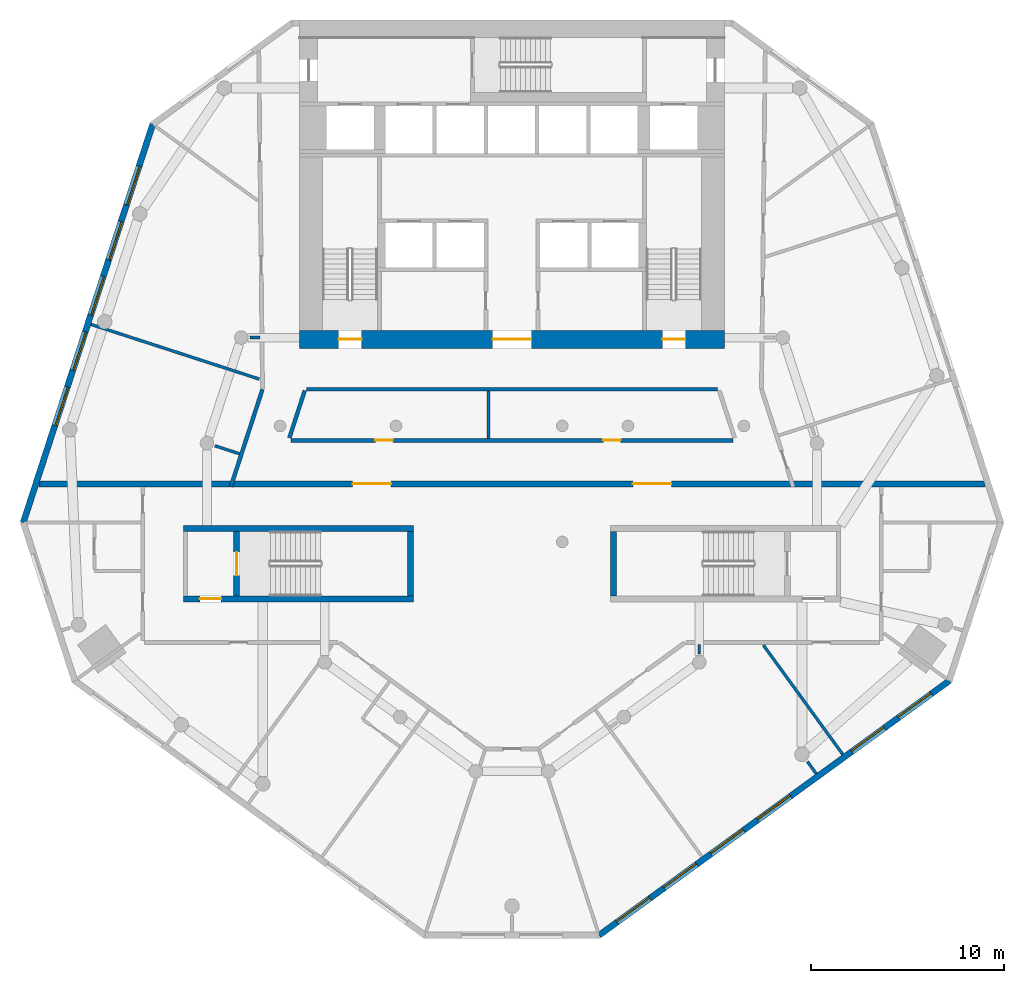
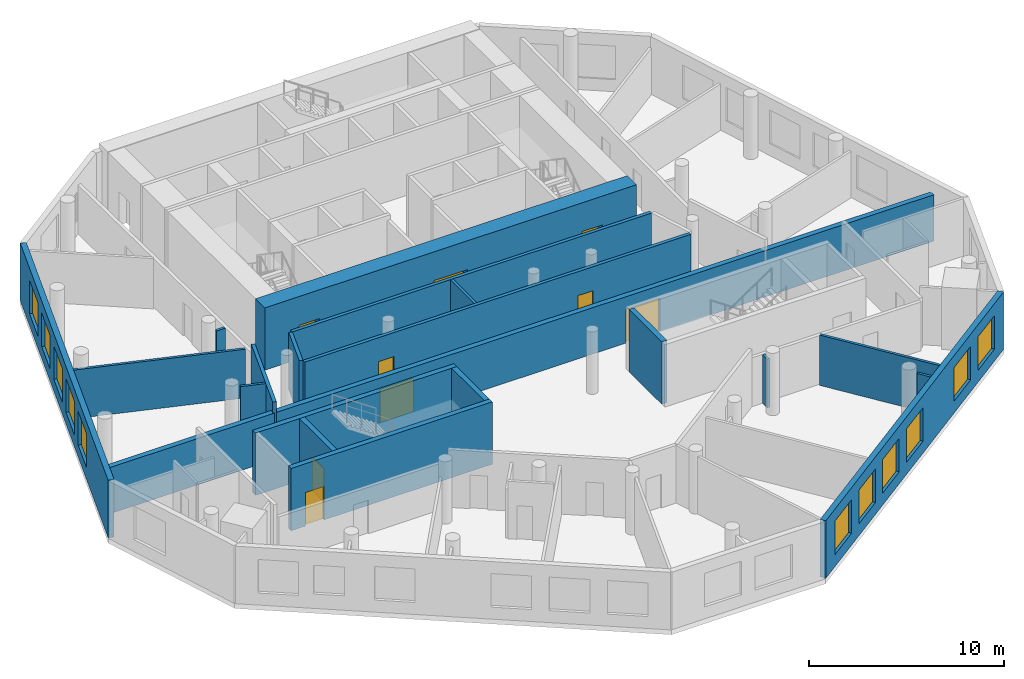
# One storey, part 3 of 8: 20 walls, 11 windows, 9 doors, 20 openings.
"""IFC4 building model written with IfcOpenShell, lengths in metres."""

from ifc_helpers import new_model, si_unit, direction, frame, frame_2d, origin, place, context, subcontext, project, spatial, rectangle, extrude, material, layer, layer_set, type_object, element, fill, save


model = new_model("IFC4")

# Units and contexts
model_context = context("Model", 3, precision=1e-05, world=origin(), true_north=direction((0.0, 1.0)))
body_context = subcontext(model_context, "Body", "Model", "MODEL_VIEW")
ifc_project = project(units=[si_unit("LENGTHUNIT", "METRE"), si_unit("AREAUNIT", "SQUARE_METRE"), si_unit("VOLUMEUNIT", "CUBIC_METRE"), si_unit("PLANEANGLEUNIT", "RADIAN"), si_unit("MASSUNIT", "GRAM", prefix="KILO")], contexts=[model_context])

# Site, building, storey
site_placement = place(None, origin())
site = spatial("IfcSite", under=ifc_project, at=site_placement, CompositionType="ELEMENT")
building_placement = place(site_placement, origin())
building = spatial("IfcBuilding", under=site, at=building_placement, Name="White Candle Pilgrim Tower", CompositionType="ELEMENT")
storey_placement = place(building_placement, frame((0.0, 0.0, 152.5)))
storey = spatial("IfcBuildingStorey", under=building, at=storey_placement, Name="L34", CompositionType="ELEMENT", Elevation=152.5)

# Wall
ifc_material_1 = material(Name="Gypsum board on steel studs", Category="steel")
ifc_layer_1 = layer(ifc_material_1, 0.199951171875)
ifc_layer_set_1 = layer_set([ifc_layer_1], Name="Corridor wall 200 mm EI 45")
wall_type_1 = type_object("IfcWallType", Name="Corridor wall 200 mm EI 45", PredefinedType="PARTITIONING", material=ifc_layer_set_1)
wall_1_placement = place(storey_placement, frame((55.45263671875, 63.85009765625, 0.0), z_axis=(0.0, 0.0, 1.0), x_axis=(0.309009941901, 0.951058807754, 0.0)))
element("IfcWall", 1, at=wall_1_placement, inside=storey, type_object=wall_type_1, Name="WL-L34-P002", PredefinedType="PARTITIONING", context=body_context, shape_type="SweptSolid", body=[
    extrude(rectangle(XDim=5.29345703125, YDim=0.199951171875, at=frame_2d((2.646728515625, 0.0))), origin(), (0.0, 0.0, 1.0), 3.60009765625),
])

# Wall, openings, doors
wall_2_placement = place(storey_placement, frame((58.578125, 66.25, 0.0), z_axis=(0.0, 0.0, 1.0), x_axis=(1.0, 0.0, 0.0)))
wall_2 = element("IfcWall", 2, at=wall_2_placement, inside=storey, type_object=wall_type_1, Name="WL-L34-P013", PredefinedType="PARTITIONING", context=body_context, shape_type="SweptSolid", body=[
    extrude(rectangle(XDim=22.84375, YDim=0.199951171875, at=frame_2d((11.421875, 0.0))), origin(), (0.0, 0.0, 1.0), 3.60009765625),
])
opening_1_placement = place(wall_2_placement, frame((4.359130859375, 0.0, 0.0)))
opening_1 = element("IfcOpeningElement", 3, at=opening_1_placement, cuts=wall_2, Name="Opening T10-115", PredefinedType="OPENING", context=body_context, shape_type="SweptSolid", body=[
    extrude(rectangle(XDim=0.89990234375, YDim=2.10009765625, at=frame_2d((0.449951171875, 1.050048828125))), frame((0.0, 0.10986328125, 0.0), z_axis=(0.0, -1.0, 0.0), x_axis=(1.0, 0.0, 0.0)), (0.0, 0.0, 1.0), 0.219970703125),
])
opening_2_placement = place(wall_2_placement, frame((16.1435546875, 0.0, 0.0)))
opening_2 = element("IfcOpeningElement", 4, at=opening_2_placement, cuts=wall_2, Name="Opening T10-116", PredefinedType="OPENING", context=body_context, shape_type="SweptSolid", body=[
    extrude(rectangle(XDim=0.89990234375, YDim=2.10009765625, at=frame_2d((0.449951171875, 1.050048828125))), frame((0.0, 0.10986328125, 0.0), z_axis=(0.0, -1.0, 0.0), x_axis=(1.0, 0.0, 0.0)), (0.0, 0.0, 1.0), 0.219970703125),
])
ifc_material_2 = material(Name="Steel door leaf", Category="steel")
door_type_1 = type_object("IfcDoorType", Name="Fire door 900 x 2100 EI 30", OperationType="NOTDEFINED", PredefinedType="DOOR", material=ifc_material_2)
door_1_placement = place(opening_1_placement, origin())
door_1 = element("IfcDoor", 5, at=door_1_placement, inside=storey, type_object=door_type_1, Name="Door T10-115", OperationType="SINGLE_SWING_LEFT", OverallHeight=2.10009765625, OverallWidth=0.89990234375, PredefinedType="DOOR", context=body_context, shape_type="SweptSolid", body=[
    extrude(rectangle(XDim=0.89990234375, YDim=2.10009765625, at=frame_2d((0.449951171875, 1.050048828125))), frame((0.0, 0.02490234375, 0.0), z_axis=(0.0, -1.0, 0.0), x_axis=(1.0, 0.0, 0.0)), (0.0, 0.0, 1.0), 0.050048828125),
])
fill(opening_1, door_1)
door_2_placement = place(opening_2_placement, origin())
door_2 = element("IfcDoor", 6, at=door_2_placement, inside=storey, type_object=door_type_1, Name="Door T10-116", OperationType="SINGLE_SWING_RIGHT", OverallHeight=2.10009765625, OverallWidth=0.89990234375, PredefinedType="DOOR", context=body_context, shape_type="SweptSolid", body=[
    extrude(rectangle(XDim=0.89990234375, YDim=2.10009765625, at=frame_2d((0.449951171875, 1.050048828125))), frame((0.0, 0.02490234375, 0.0), z_axis=(0.0, -1.0, 0.0), x_axis=(1.0, 0.0, 0.0)), (0.0, 0.0, 1.0), 0.050048828125),
])
fill(opening_2, door_2)

# Walls
wall_3_placement = place(storey_placement, frame((80.625732421875, 68.89990234375, 0.0), z_axis=(0.0, 0.0, 1.0), x_axis=(-1.0, 0.0, 0.0)))
element("IfcWall", 7, at=wall_3_placement, inside=storey, type_object=wall_type_1, Name="WL-L34-P015", PredefinedType="PARTITIONING", context=body_context, shape_type="SweptSolid", body=[
    extrude(rectangle(XDim=21.25146484375, YDim=0.199951171875, at=frame_2d((10.625732421875, 0.0))), origin(), (0.0, 0.0, 1.0), 3.60009765625),
])
wall_4_placement = place(storey_placement, frame((59.279052734375, 68.830810546875, 0.0), z_axis=(0.0, 0.0, 1.0), x_axis=(-0.308968203288, -0.951072368097, 0.0)))
element("IfcWall", 8, at=wall_4_placement, inside=storey, type_object=wall_type_1, Name="WL-L34-P016", PredefinedType="PARTITIONING", context=body_context, shape_type="SweptSolid", body=[
    extrude(rectangle(XDim=2.575927734375, YDim=0.199951171875, at=frame_2d((1.2880859375, 0.0))), origin(), (0.0, 0.0, 1.0), 3.60009765625),
])

# Wall, openings, windows
ifc_material_3 = material(Name="Precast concrete C40/50", Category="concrete")
ifc_layer_2 = layer(ifc_material_3, 0.320068359375)
ifc_layer_set_2 = layer_set([ifc_layer_2], Name="Facade wall EW1 precast concrete C40/50 pier wall with timber-lined reveals")
wall_type_2 = type_object("IfcWallType", Name="Facade wall EW1 precast concrete C40/50 pier wall with timber-lined reveals", PredefinedType="SOLIDWALL", material=ifc_layer_set_2)
wall_5_placement = place(storey_placement, frame((74.5068359375, 40.6513671875, 0.0), z_axis=(0.0, 0.0, 1.0), x_axis=(0.809012267685, 0.587791757968, 0.0)))
wall_5 = element("IfcWall", 9, at=wall_5_placement, inside=storey, type_object=wall_type_2, Name="Facade wall L34 SE", PredefinedType="SOLIDWALL", context=body_context, shape_type="SweptSolid", body=[
    extrude(rectangle(XDim=22.393310546875, YDim=0.320068359375, at=frame_2d((11.19677734375, 0.0))), origin(), (0.0, 0.0, 1.0), 3.60009765625),
])
opening_3_placement = place(wall_5_placement, frame((1.146484375, 0.0, 0.75)))
opening_3 = element("IfcOpeningElement", 10, at=opening_3_placement, cuts=wall_5, Name="Opening W3", PredefinedType="OPENING", context=body_context, shape_type="SweptSolid", body=[
    extrude(rectangle(XDim=2.10009765625, YDim=2.10009765625, at=frame_2d((1.050048828125, 1.050048828125))), frame((0.0, 0.169921875, 0.0), z_axis=(0.0, -1.0, 0.0), x_axis=(1.0, 0.0, 0.0)), (0.0, 0.0, 1.0), 0.340087890625),
])
opening_4_placement = place(wall_5_placement, frame((4.146484375, 0.0, 0.75)))
opening_4 = element("IfcOpeningElement", 11, at=opening_4_placement, cuts=wall_5, Name="Opening W3", PredefinedType="OPENING", context=body_context, shape_type="SweptSolid", body=[
    extrude(rectangle(XDim=2.10009765625, YDim=2.10009765625, at=frame_2d((1.050048828125, 1.050048828125))), frame((0.0, 0.169921875, 0.0), z_axis=(0.0, -1.0, 0.0), x_axis=(1.0, 0.0, 0.0)), (0.0, 0.0, 1.0), 0.340087890625),
])
opening_5_placement = place(wall_5_placement, frame((7.146484375, 0.0, 0.75)))
opening_5 = element("IfcOpeningElement", 12, at=opening_5_placement, cuts=wall_5, Name="Opening W3", PredefinedType="OPENING", context=body_context, shape_type="SweptSolid", body=[
    extrude(rectangle(XDim=2.10009765625, YDim=2.10009765625, at=frame_2d((1.050048828125, 1.050048828125))), frame((0.0, 0.169921875, 0.0), z_axis=(0.0, -1.0, 0.0), x_axis=(1.0, 0.0, 0.0)), (0.0, 0.0, 1.0), 0.340087890625),
])
opening_6_placement = place(wall_5_placement, frame((10.146484375, 0.0, 0.75)))
opening_6 = element("IfcOpeningElement", 13, at=opening_6_placement, cuts=wall_5, Name="Opening W3", PredefinedType="OPENING", context=body_context, shape_type="SweptSolid", body=[
    extrude(rectangle(XDim=2.10009765625, YDim=2.10009765625, at=frame_2d((1.050048828125, 1.050048828125))), frame((0.0, 0.169921875, 0.0), z_axis=(0.0, -1.0, 0.0), x_axis=(1.0, 0.0, 0.0)), (0.0, 0.0, 1.0), 0.340087890625),
])
opening_7_placement = place(wall_5_placement, frame((16.146484375, 0.0, 0.75)))
opening_7 = element("IfcOpeningElement", 14, at=opening_7_placement, cuts=wall_5, Name="Opening W3", PredefinedType="OPENING", context=body_context, shape_type="SweptSolid", body=[
    extrude(rectangle(XDim=2.10009765625, YDim=2.10009765625, at=frame_2d((1.050048828125, 1.050048828125))), frame((0.0, 0.169921875, 0.0), z_axis=(0.0, -1.0, 0.0), x_axis=(1.0, 0.0, 0.0)), (0.0, 0.0, 1.0), 0.340087890625),
])
opening_8_placement = place(wall_5_placement, frame((19.146484375, 0.0, 0.75)))
opening_8 = element("IfcOpeningElement", 15, at=opening_8_placement, cuts=wall_5, Name="Opening W3", PredefinedType="OPENING", context=body_context, shape_type="SweptSolid", body=[
    extrude(rectangle(XDim=2.10009765625, YDim=2.10009765625, at=frame_2d((1.050048828125, 1.050048828125))), frame((0.0, 0.169921875, 0.0), z_axis=(0.0, -1.0, 0.0), x_axis=(1.0, 0.0, 0.0)), (0.0, 0.0, 1.0), 0.340087890625),
])
ifc_material_4 = material(Name="Timber frame with triple glazing", Category="wood")
window_type = type_object("IfcWindowType", Name="Window W3 2100x2100 timber frame triple glazing", PartitioningType="SINGLE_PANEL", PredefinedType="WINDOW", material=ifc_material_4)
window_1_placement = place(opening_3_placement, origin())
window_1 = element("IfcWindow", 16, at=window_1_placement, inside=storey, type_object=window_type, Name="Window W3 L34 SE 1", OverallHeight=2.10009765625, OverallWidth=2.10009765625, PartitioningType="SINGLE_PANEL", PredefinedType="WINDOW", context=body_context, shape_type="SweptSolid", body=[
    extrude(rectangle(XDim=2.10009765625, YDim=2.10009765625, at=frame_2d((1.050048828125, 1.050048828125))), frame((0.0, 0.070068359375, 0.0), z_axis=(0.0, -1.0, 0.0), x_axis=(1.0, 0.0, 0.0)), (0.0, 0.0, 1.0), 0.06005859375),
])
fill(opening_3, window_1)
window_2_placement = place(opening_4_placement, origin())
window_2 = element("IfcWindow", 17, at=window_2_placement, inside=storey, type_object=window_type, Name="Window W3 L34 SE 2", OverallHeight=2.10009765625, OverallWidth=2.10009765625, PartitioningType="SINGLE_PANEL", PredefinedType="WINDOW", context=body_context, shape_type="SweptSolid", body=[
    extrude(rectangle(XDim=2.10009765625, YDim=2.10009765625, at=frame_2d((1.050048828125, 1.050048828125))), frame((0.0, 0.070068359375, 0.0), z_axis=(0.0, -1.0, 0.0), x_axis=(1.0, 0.0, 0.0)), (0.0, 0.0, 1.0), 0.06005859375),
])
fill(opening_4, window_2)
window_3_placement = place(opening_5_placement, origin())
window_3 = element("IfcWindow", 18, at=window_3_placement, inside=storey, type_object=window_type, Name="Window W3 L34 SE 3", OverallHeight=2.10009765625, OverallWidth=2.10009765625, PartitioningType="SINGLE_PANEL", PredefinedType="WINDOW", context=body_context, shape_type="SweptSolid", body=[
    extrude(rectangle(XDim=2.10009765625, YDim=2.10009765625, at=frame_2d((1.050048828125, 1.050048828125))), frame((0.0, 0.070068359375, 0.0), z_axis=(0.0, -1.0, 0.0), x_axis=(1.0, 0.0, 0.0)), (0.0, 0.0, 1.0), 0.06005859375),
])
fill(opening_5, window_3)
window_4_placement = place(opening_6_placement, origin())
window_4 = element("IfcWindow", 19, at=window_4_placement, inside=storey, type_object=window_type, Name="Window W3 L34 SE 4", OverallHeight=2.10009765625, OverallWidth=2.10009765625, PartitioningType="SINGLE_PANEL", PredefinedType="WINDOW", context=body_context, shape_type="SweptSolid", body=[
    extrude(rectangle(XDim=2.10009765625, YDim=2.10009765625, at=frame_2d((1.050048828125, 1.050048828125))), frame((0.0, 0.070068359375, 0.0), z_axis=(0.0, -1.0, 0.0), x_axis=(1.0, 0.0, 0.0)), (0.0, 0.0, 1.0), 0.06005859375),
])
fill(opening_6, window_4)
window_5_placement = place(opening_7_placement, origin())
window_5 = element("IfcWindow", 20, at=window_5_placement, inside=storey, type_object=window_type, Name="Window W3 L34 SE 6", OverallHeight=2.10009765625, OverallWidth=2.10009765625, PartitioningType="SINGLE_PANEL", PredefinedType="WINDOW", context=body_context, shape_type="SweptSolid", body=[
    extrude(rectangle(XDim=2.10009765625, YDim=2.10009765625, at=frame_2d((1.050048828125, 1.050048828125))), frame((0.0, 0.070068359375, 0.0), z_axis=(0.0, -1.0, 0.0), x_axis=(1.0, 0.0, 0.0)), (0.0, 0.0, 1.0), 0.06005859375),
])
fill(opening_7, window_5)
window_6_placement = place(opening_8_placement, origin())
window_6 = element("IfcWindow", 21, at=window_6_placement, inside=storey, type_object=window_type, Name="Window W3 L34 SE 7", OverallHeight=2.10009765625, OverallWidth=2.10009765625, PartitioningType="SINGLE_PANEL", PredefinedType="WINDOW", context=body_context, shape_type="SweptSolid", body=[
    extrude(rectangle(XDim=2.10009765625, YDim=2.10009765625, at=frame_2d((1.050048828125, 1.050048828125))), frame((0.0, 0.070068359375, 0.0), z_axis=(0.0, -1.0, 0.0), x_axis=(1.0, 0.0, 0.0)), (0.0, 0.0, 1.0), 0.06005859375),
])
fill(opening_8, window_6)

wall_6_placement = place(storey_placement, frame((51.41064453125, 82.605712890625, 0.0), z_axis=(0.0, 0.0, 1.0), x_axis=(-0.309020837221, -0.95105526767, 0.0)))
wall_6 = element("IfcWall", 22, at=wall_6_placement, inside=storey, type_object=wall_type_2, Name="Facade wall L34 WNW", PredefinedType="SOLIDWALL", context=body_context, shape_type="SweptSolid", body=[
    extrude(rectangle(XDim=21.663818359375, YDim=0.320068359375, at=frame_2d((10.83203125, 0.0))), origin(), (0.0, 0.0, 1.0), 3.60009765625),
])
opening_9_placement = place(wall_6_placement, frame((2.281982421875, 0.0, 0.75)))
opening_9 = element("IfcOpeningElement", 23, at=opening_9_placement, cuts=wall_6, Name="Opening W3", PredefinedType="OPENING", context=body_context, shape_type="SweptSolid", body=[
    extrude(rectangle(XDim=2.10009765625, YDim=2.10009765625, at=frame_2d((1.050048828125, 1.050048828125))), frame((0.0, 0.169921875, 0.0), z_axis=(0.0, -1.0, 0.0), x_axis=(1.0, 0.0, 0.0)), (0.0, 0.0, 1.0), 0.340087890625),
])
opening_10_placement = place(wall_6_placement, frame((5.281982421875, 0.0, 0.75)))
opening_10 = element("IfcOpeningElement", 24, at=opening_10_placement, cuts=wall_6, Name="Opening W3", PredefinedType="OPENING", context=body_context, shape_type="SweptSolid", body=[
    extrude(rectangle(XDim=2.10009765625, YDim=2.10009765625, at=frame_2d((1.050048828125, 1.050048828125))), frame((0.0, 0.169921875, 0.0), z_axis=(0.0, -1.0, 0.0), x_axis=(1.0, 0.0, 0.0)), (0.0, 0.0, 1.0), 0.340087890625),
])
opening_11_placement = place(wall_6_placement, frame((8.281982421875, 0.0, 0.75)))
opening_11 = element("IfcOpeningElement", 25, at=opening_11_placement, cuts=wall_6, Name="Opening W3", PredefinedType="OPENING", context=body_context, shape_type="SweptSolid", body=[
    extrude(rectangle(XDim=2.10009765625, YDim=2.10009765625, at=frame_2d((1.050048828125, 1.050048828125))), frame((0.0, 0.169921875, 0.0), z_axis=(0.0, -1.0, 0.0), x_axis=(1.0, 0.0, 0.0)), (0.0, 0.0, 1.0), 0.340087890625),
])
opening_12_placement = place(wall_6_placement, frame((11.281982421875, 0.0, 0.75)))
opening_12 = element("IfcOpeningElement", 26, at=opening_12_placement, cuts=wall_6, Name="Opening W3", PredefinedType="OPENING", context=body_context, shape_type="SweptSolid", body=[
    extrude(rectangle(XDim=2.10009765625, YDim=2.10009765625, at=frame_2d((1.050048828125, 1.050048828125))), frame((0.0, 0.169921875, 0.0), z_axis=(0.0, -1.0, 0.0), x_axis=(1.0, 0.0, 0.0)), (0.0, 0.0, 1.0), 0.340087890625),
])
opening_13_placement = place(wall_6_placement, frame((14.281982421875, 0.0, 0.75)))
opening_13 = element("IfcOpeningElement", 27, at=opening_13_placement, cuts=wall_6, Name="Opening W3", PredefinedType="OPENING", context=body_context, shape_type="SweptSolid", body=[
    extrude(rectangle(XDim=2.10009765625, YDim=2.10009765625, at=frame_2d((1.050048828125, 1.050048828125))), frame((0.0, 0.169921875, 0.0), z_axis=(0.0, -1.0, 0.0), x_axis=(1.0, 0.0, 0.0)), (0.0, 0.0, 1.0), 0.340087890625),
])
window_7_placement = place(opening_9_placement, origin())
window_7 = element("IfcWindow", 28, at=window_7_placement, inside=storey, type_object=window_type, Name="Window W3 L34 WNW 1", OverallHeight=2.10009765625, OverallWidth=2.10009765625, PartitioningType="SINGLE_PANEL", PredefinedType="WINDOW", context=body_context, shape_type="SweptSolid", body=[
    extrude(rectangle(XDim=2.10009765625, YDim=2.10009765625, at=frame_2d((1.050048828125, 1.050048828125))), frame((0.0, 0.070068359375, 0.0), z_axis=(0.0, -1.0, 0.0), x_axis=(1.0, 0.0, 0.0)), (0.0, 0.0, 1.0), 0.06005859375),
])
fill(opening_9, window_7)
window_8_placement = place(opening_10_placement, origin())
window_8 = element("IfcWindow", 29, at=window_8_placement, inside=storey, type_object=window_type, Name="Window W3 L34 WNW 2", OverallHeight=2.10009765625, OverallWidth=2.10009765625, PartitioningType="SINGLE_PANEL", PredefinedType="WINDOW", context=body_context, shape_type="SweptSolid", body=[
    extrude(rectangle(XDim=2.10009765625, YDim=2.10009765625, at=frame_2d((1.050048828125, 1.050048828125))), frame((0.0, 0.070068359375, 0.0), z_axis=(0.0, -1.0, 0.0), x_axis=(1.0, 0.0, 0.0)), (0.0, 0.0, 1.0), 0.06005859375),
])
fill(opening_10, window_8)
window_9_placement = place(opening_11_placement, origin())
window_9 = element("IfcWindow", 30, at=window_9_placement, inside=storey, type_object=window_type, Name="Window W3 L34 WNW 3", OverallHeight=2.10009765625, OverallWidth=2.10009765625, PartitioningType="SINGLE_PANEL", PredefinedType="WINDOW", context=body_context, shape_type="SweptSolid", body=[
    extrude(rectangle(XDim=2.10009765625, YDim=2.10009765625, at=frame_2d((1.050048828125, 1.050048828125))), frame((0.0, 0.070068359375, 0.0), z_axis=(0.0, -1.0, 0.0), x_axis=(1.0, 0.0, 0.0)), (0.0, 0.0, 1.0), 0.06005859375),
])
fill(opening_11, window_9)
window_10_placement = place(opening_12_placement, origin())
window_10 = element("IfcWindow", 31, at=window_10_placement, inside=storey, type_object=window_type, Name="Window W3 L34 WNW 4", OverallHeight=2.10009765625, OverallWidth=2.10009765625, PartitioningType="SINGLE_PANEL", PredefinedType="WINDOW", context=body_context, shape_type="SweptSolid", body=[
    extrude(rectangle(XDim=2.10009765625, YDim=2.10009765625, at=frame_2d((1.050048828125, 1.050048828125))), frame((0.0, 0.070068359375, 0.0), z_axis=(0.0, -1.0, 0.0), x_axis=(1.0, 0.0, 0.0)), (0.0, 0.0, 1.0), 0.06005859375),
])
fill(opening_12, window_10)
window_11_placement = place(opening_13_placement, origin())
window_11 = element("IfcWindow", 32, at=window_11_placement, inside=storey, type_object=window_type, Name="Window W3 L34 WNW 5", OverallHeight=2.10009765625, OverallWidth=2.10009765625, PartitioningType="SINGLE_PANEL", PredefinedType="WINDOW", context=body_context, shape_type="SweptSolid", body=[
    extrude(rectangle(XDim=2.10009765625, YDim=2.10009765625, at=frame_2d((1.050048828125, 1.050048828125))), frame((0.0, 0.070068359375, 0.0), z_axis=(0.0, -1.0, 0.0), x_axis=(1.0, 0.0, 0.0)), (0.0, 0.0, 1.0), 0.06005859375),
])
fill(opening_13, window_11)

# Wall, openings, doors
ifc_material_5 = material(Name="Aerated concrete block", Category="concrete")
ifc_layer_3 = layer(ifc_material_5, 0.300048828125)
ifc_layer_set_3 = layer_set([ifc_layer_3], Name="Fire wall 300 mm REI 240")
wall_type_3 = type_object("IfcWallType", Name="Fire wall 300 mm REI 240", PredefinedType="PARTITIONING", material=ifc_layer_set_3)
wall_7_placement = place(storey_placement, frame((45.533447265625, 64.0, 0.0), z_axis=(0.0, 0.0, 1.0), x_axis=(1.0, 0.0, 0.0)))
wall_7 = element("IfcWall", 33, at=wall_7_placement, inside=storey, type_object=wall_type_3, Name="WL-L34-P001", PredefinedType="PARTITIONING", context=body_context, shape_type="SweptSolid", body=[
    extrude(rectangle(XDim=48.93310546875, YDim=0.300048828125, at=frame_2d((24.466552734375, 0.0))), origin(), (0.0, 0.0, 1.0), 2.89990234375),
])
opening_14_placement = place(wall_7_placement, frame((16.21728515625, 0.0, 0.0)))
opening_14 = element("IfcOpeningElement", 34, at=opening_14_placement, cuts=wall_7, Name="Opening T10-113", PredefinedType="OPENING", context=body_context, shape_type="SweptSolid", body=[
    extrude(rectangle(XDim=2.0, YDim=2.10009765625, at=frame_2d((1.0, 1.050048828125))), frame((0.0, 0.159912109375, 0.0), z_axis=(0.0, -1.0, 0.0), x_axis=(1.0, 0.0, 0.0)), (0.0, 0.0, 1.0), 0.320068359375),
])
opening_15_placement = place(wall_7_placement, frame((30.7158203125, 0.0, 0.0)))
opening_15 = element("IfcOpeningElement", 35, at=opening_15_placement, cuts=wall_7, Name="Opening T10-114", PredefinedType="OPENING", context=body_context, shape_type="SweptSolid", body=[
    extrude(rectangle(XDim=2.0, YDim=2.10009765625, at=frame_2d((1.0, 1.050048828125))), frame((0.0, 0.159912109375, 0.0), z_axis=(0.0, -1.0, 0.0), x_axis=(1.0, 0.0, 0.0)), (0.0, 0.0, 1.0), 0.320068359375),
])
door_type_2 = type_object("IfcDoorType", Name="Fire door 2000 x 2100 EI 60", OperationType="NOTDEFINED", PredefinedType="DOOR", material=ifc_material_2)
door_3_placement = place(opening_14_placement, origin())
door_3 = element("IfcDoor", 36, at=door_3_placement, inside=storey, type_object=door_type_2, Name="Door T10-113", OperationType="DOUBLE_DOOR_SINGLE_SWING", OverallHeight=2.10009765625, OverallWidth=2.0, PredefinedType="DOOR", context=body_context, shape_type="SweptSolid", body=[
    extrude(rectangle(XDim=2.0, YDim=2.10009765625, at=frame_2d((1.0, 1.050048828125))), frame((0.0, 0.02490234375, 0.0), z_axis=(0.0, -1.0, 0.0), x_axis=(1.0, 0.0, 0.0)), (0.0, 0.0, 1.0), 0.050048828125),
])
fill(opening_14, door_3)
door_4_placement = place(opening_15_placement, origin())
door_4 = element("IfcDoor", 37, at=door_4_placement, inside=storey, type_object=door_type_2, Name="Door T10-114", OperationType="DOUBLE_DOOR_SINGLE_SWING", OverallHeight=2.10009765625, OverallWidth=2.0, PredefinedType="DOOR", context=body_context, shape_type="SweptSolid", body=[
    extrude(rectangle(XDim=2.0, YDim=2.10009765625, at=frame_2d((1.0, 1.050048828125))), frame((0.0, 0.02490234375, 0.0), z_axis=(0.0, -1.0, 0.0), x_axis=(1.0, 0.0, 0.0)), (0.0, 0.0, 1.0), 0.050048828125),
])
fill(opening_15, door_4)

# Walls
ifc_layer_4 = layer(ifc_material_1, 0.14990234375)
ifc_layer_set_4 = layer_set([ifc_layer_4], Name="Partition 150 mm EI 60")
wall_type_4 = type_object("IfcWallType", Name="Partition 150 mm EI 60", PredefinedType="PARTITIONING", material=ifc_layer_set_4)
wall_8_placement = place(storey_placement, frame((48.215576171875, 72.25439453125, 0.0), z_axis=(0.0, 0.0, 1.0), x_axis=(0.951059353681, -0.309008261662, 0.0)))
element("IfcWall", 38, at=wall_8_placement, inside=storey, type_object=wall_type_4, Name="WL-L34-P025", PredefinedType="PARTITIONING", context=body_context, shape_type="SweptSolid", body=[
    extrude(rectangle(XDim=9.15234375, YDim=0.14990234375, at=frame_2d((4.576171875, 0.0))), origin(), (0.0, 0.0, 1.0), 3.050048828125),
])
wall_9_placement = place(storey_placement, frame((87.111572265625, 50.007080078125, 0.0), z_axis=(0.0, 0.0, 1.0), x_axis=(-0.587768293971, 0.809029315045, 0.0)))
element("IfcWall", 39, at=wall_9_placement, inside=storey, type_object=wall_type_4, Name="WL-L34-P033", PredefinedType="PARTITIONING", context=body_context, shape_type="SweptSolid", body=[
    extrude(rectangle(XDim=6.982421875, YDim=0.14990234375, at=frame_2d((3.4912109375, 0.0))), origin(), (0.0, 0.0, 1.0), 3.14990234375),
])
wall_10_placement = place(storey_placement, frame((68.7841796875, 66.35009765625, 0.0), z_axis=(0.0, 0.0, 1.0), x_axis=(0.0, 1.0, 0.0)))
element("IfcWall", 40, at=wall_10_placement, inside=storey, type_object=wall_type_4, Name="WL-L34-P038", PredefinedType="PARTITIONING", context=body_context, shape_type="SweptSolid", body=[
    extrude(rectangle(XDim=2.449951171875, YDim=0.14990234375, at=frame_2d((1.22509765625, 0.0))), origin(), (0.0, 0.0, 1.0), 3.60009765625),
])
wall_11_placement = place(storey_placement, frame((85.28076171875, 49.639404296875, 0.0), z_axis=(0.0, 0.0, 1.0), x_axis=(0.587892016581, -0.808939414815, 0.0)))
element("IfcWall", 41, at=wall_11_placement, inside=storey, type_object=wall_type_4, Name="WL-L34-P043", PredefinedType="PARTITIONING", context=body_context, shape_type="SweptSolid", body=[
    extrude(rectangle(XDim=0.778564453125, YDim=0.14990234375, at=frame_2d((0.38916015625, 0.0))), origin(), (0.0, 0.0, 1.0), 3.60009765625),
])
wall_12_placement = place(storey_placement, frame((79.687744140625, 55.2099609375, 0.0), z_axis=(0.0, 0.0, 1.0), x_axis=(0.0, 1.0, 0.0)))
element("IfcWall", 42, at=wall_12_placement, inside=storey, type_object=wall_type_4, Name="WL-L34-P046", PredefinedType="PARTITIONING", context=body_context, shape_type="SweptSolid", body=[
    extrude(rectangle(XDim=0.489990234375, YDim=0.14990234375, at=frame_2d((0.2451171875, 0.0))), origin(), (0.0, 0.0, 1.0), 3.050048828125),
])
wall_13_placement = place(storey_placement, frame((56.43994140625, 71.572509765625, 0.0), z_axis=(0.0, 0.0, 1.0), x_axis=(0.99993746944, 0.011182898074, 0.0)))
element("IfcWall", 43, at=wall_13_placement, inside=storey, type_object=wall_type_4, Name="WL-L34-P049", PredefinedType="PARTITIONING", context=body_context, shape_type="SweptSolid", body=[
    extrude(rectangle(XDim=0.52392578125, YDim=0.14990234375, at=frame_2d((0.261962890625, 0.0))), origin(), (0.0, 0.0, 1.0), 3.050048828125),
])
wall_14_placement = place(storey_placement, frame((54.637451171875, 65.970947265625, 0.0), z_axis=(0.0, 0.0, 1.0), x_axis=(0.951077203056, -0.30895331982, 0.0)))
element("IfcWall", 44, at=wall_14_placement, inside=storey, type_object=wall_type_4, Name="WL-L34-P050", PredefinedType="PARTITIONING", context=body_context, shape_type="SweptSolid", body=[
    extrude(rectangle(XDim=1.330810546875, YDim=0.14990234375, at=frame_2d((0.66552734375, 0.0))), origin(), (0.0, 0.0, 1.0), 3.60009765625),
])

# Wall, opening, door
ifc_material_6 = material(Name="Concrete C60/75", Category="concrete")
ifc_layer_5 = layer(ifc_material_6, 0.300048828125)
ifc_layer_set_5 = layer_set([ifc_layer_5], Name="Stair shaft wall 300 mm Concrete C60/75")
wall_type_5 = type_object("IfcWallType", Name="Stair shaft wall 300 mm Concrete C60/75", PredefinedType="SHEAR", material=ifc_layer_set_5)
wall_15_placement = place(storey_placement, frame((53.0, 58.050048828125, 0.0), z_axis=(0.0, 0.0, 1.0), x_axis=(1.0, 0.0, 0.0)))
wall_15 = element("IfcWall", 45, at=wall_15_placement, inside=storey, type_object=wall_type_5, Name="WL-L34-C01", PredefinedType="SHEAR", context=body_context, shape_type="SweptSolid", body=[
    extrude(rectangle(XDim=11.89990234375, YDim=0.300048828125, at=frame_2d((5.949951171875, 0.0))), origin(), (0.0, 0.0, 1.0), 3.89990234375),
])
opening_16_placement = place(wall_15_placement, frame((0.85009765625, 0.0, 0.0)))
opening_16 = element("IfcOpeningElement", 46, at=opening_16_placement, cuts=wall_15, Name="Opening T10-009", PredefinedType="OPENING", context=body_context, shape_type="SweptSolid", body=[
    extrude(rectangle(XDim=1.10009765625, YDim=2.10009765625, at=frame_2d((0.550048828125, 1.050048828125))), frame((0.0, 0.159912109375, 0.0), z_axis=(0.0, -1.0, 0.0), x_axis=(1.0, 0.0, 0.0)), (0.0, 0.0, 1.0), 0.320068359375),
])
door_type_3 = type_object("IfcDoorType", Name="Fire door 1100 x 2100 EI 60", OperationType="NOTDEFINED", PredefinedType="DOOR", material=ifc_material_2)
door_5_placement = place(opening_16_placement, origin())
door_5 = element("IfcDoor", 47, at=door_5_placement, inside=storey, type_object=door_type_3, Name="Door T10-009", OperationType="SINGLE_SWING_LEFT", OverallHeight=2.10009765625, OverallWidth=1.10009765625, PredefinedType="DOOR", context=body_context, shape_type="SweptSolid", body=[
    extrude(rectangle(XDim=1.10009765625, YDim=2.10009765625, at=frame_2d((0.550048828125, 1.050048828125))), frame((0.0, 0.02490234375, 0.0), z_axis=(0.0, -1.0, 0.0), x_axis=(1.0, 0.0, 0.0)), (0.0, 0.0, 1.0), 0.050048828125),
])
fill(opening_16, door_5)

wall_16_placement = place(storey_placement, frame((55.75, 58.199951171875, 0.0), z_axis=(0.0, 0.0, 1.0), x_axis=(0.0, 1.0, 0.0)))
wall_16 = element("IfcWall", 48, at=wall_16_placement, inside=storey, type_object=wall_type_5, Name="WL-L34-C04", PredefinedType="SHEAR", context=body_context, shape_type="SweptSolid", body=[
    extrude(rectangle(XDim=3.35009765625, YDim=0.300048828125, at=frame_2d((1.675048828125, 0.0))), origin(), (0.0, 0.0, 1.0), 3.89990234375),
])
opening_17_placement = place(wall_16_placement, frame((1.074951171875, 0.0, 0.0)))
opening_17 = element("IfcOpeningElement", 49, at=opening_17_placement, cuts=wall_16, Name="Opening T10-010", PredefinedType="OPENING", context=body_context, shape_type="SweptSolid", body=[
    extrude(rectangle(XDim=1.199951171875, YDim=2.10009765625, at=frame_2d((0.60009765625, 1.050048828125))), frame((0.0, 0.159912109375, 0.0), z_axis=(0.0, -1.0, 0.0), x_axis=(1.0, 0.0, 0.0)), (0.0, 0.0, 1.0), 0.320068359375),
])
door_type_4 = type_object("IfcDoorType", Name="Fire door 1200 x 2100 EI 60", OperationType="NOTDEFINED", PredefinedType="DOOR", material=ifc_material_2)
door_6_placement = place(opening_17_placement, frame((1.199951171875, 0.0, 0.0), z_axis=(0.0, 0.0, 1.0), x_axis=(-1.0, 0.0, 0.0)))
door_6 = element("IfcDoor", 50, at=door_6_placement, inside=storey, type_object=door_type_4, Name="Door T10-010", OperationType="SINGLE_SWING_LEFT", OverallHeight=2.10009765625, OverallWidth=1.199951171875, PredefinedType="DOOR", context=body_context, shape_type="SweptSolid", body=[
    extrude(rectangle(XDim=1.199951171875, YDim=2.10009765625, at=frame_2d((0.60009765625, 1.050048828125))), frame((0.0, 0.02490234375, 0.0), z_axis=(0.0, -1.0, 0.0), x_axis=(1.0, 0.0, 0.0)), (0.0, 0.0, 1.0), 0.050048828125),
])
fill(opening_17, door_6)

# Walls
for number, where, z_axis, x_axis, name in (
    (51, (64.75, 58.199951171875, 0.0), (0.0, 0.0, 1.0), (0.0, 1.0, 0.0), "WL-L34-C05"),
    (52, (75.25, 58.199951171875, 0.0), (0.0, 0.0, 1.0), (0.0, 1.0, 0.0), "WL-L34-C06"),
):
    element("IfcWall", number, at=place(storey_placement, frame(where, z_axis=z_axis, x_axis=x_axis)), inside=storey, type_object=wall_type_5, Name=name, PredefinedType="SHEAR", context=body_context, shape_type="SweptSolid", body=[
        extrude(rectangle(XDim=3.35009765625, YDim=0.300048828125, at=frame_2d((1.675048828125, 0.0))), origin(), (0.0, 0.0, 1.0), 3.89990234375),
    ])
wall_17_placement = place(storey_placement, frame((53.0, 61.699951171875, 0.0), z_axis=(0.0, 0.0, 1.0), x_axis=(1.0, 0.0, 0.0)))
element("IfcWall", 53, at=wall_17_placement, inside=storey, type_object=wall_type_5, Name="WL-L34-C09", PredefinedType="SHEAR", context=body_context, shape_type="SweptSolid", body=[
    extrude(rectangle(XDim=11.89990234375, YDim=0.300048828125, at=frame_2d((5.949951171875, 0.0))), origin(), (0.0, 0.0, 1.0), 3.89990234375),
])

# Wall, openings, doors
ifc_layer_6 = layer(ifc_material_6, 0.949951171875)
ifc_layer_set_6 = layer_set([ifc_layer_6], Name="Stair shaft wall 950 mm Concrete C60/75")
wall_type_6 = type_object("IfcWallType", Name="Stair shaft wall 950 mm Concrete C60/75", PredefinedType="SHEAR", material=ifc_layer_set_6)
wall_18_placement = place(storey_placement, frame((59.0, 71.47509765625, 0.0), z_axis=(0.0, 0.0, 1.0), x_axis=(1.0, 0.0, 0.0)))
wall_18 = element("IfcWall", 54, at=wall_18_placement, inside=storey, type_object=wall_type_6, Name="WL-L34-C11", PredefinedType="SHEAR", context=body_context, shape_type="SweptSolid", body=[
    extrude(rectangle(XDim=22.0, YDim=0.949951171875, at=frame_2d((11.0, 0.0))), origin(), (0.0, 0.0, 1.0), 3.89990234375),
])
opening_18_placement = place(wall_18_placement, frame((2.02490234375, 0.0, 0.0)))
opening_18 = element("IfcOpeningElement", 55, at=opening_18_placement, cuts=wall_18, Name="Opening T10-001", PredefinedType="OPENING", context=body_context, shape_type="SweptSolid", body=[
    extrude(rectangle(XDim=1.199951171875, YDim=2.10009765625, at=frame_2d((0.60009765625, 1.050048828125))), frame((0.0, 0.48486328125, 0.0), z_axis=(0.0, -1.0, 0.0), x_axis=(1.0, 0.0, 0.0)), (0.0, 0.0, 1.0), 0.969970703125),
])
opening_19_placement = place(wall_18_placement, frame((18.77490234375, 0.0, 0.0)))
opening_19 = element("IfcOpeningElement", 56, at=opening_19_placement, cuts=wall_18, Name="Opening T10-002", PredefinedType="OPENING", context=body_context, shape_type="SweptSolid", body=[
    extrude(rectangle(XDim=1.199951171875, YDim=2.10009765625, at=frame_2d((0.60009765625, 1.050048828125))), frame((0.0, 0.48486328125, 0.0), z_axis=(0.0, -1.0, 0.0), x_axis=(1.0, 0.0, 0.0)), (0.0, 0.0, 1.0), 0.969970703125),
])
opening_20_placement = place(wall_18_placement, frame((10.0, 0.0, 0.0)))
opening_20 = element("IfcOpeningElement", 57, at=opening_20_placement, cuts=wall_18, Name="Opening T10-004", PredefinedType="OPENING", context=body_context, shape_type="SweptSolid", body=[
    extrude(rectangle(XDim=2.0, YDim=2.10009765625, at=frame_2d((1.0, 1.050048828125))), frame((0.0, 0.48486328125, 0.0), z_axis=(0.0, -1.0, 0.0), x_axis=(1.0, 0.0, 0.0)), (0.0, 0.0, 1.0), 0.969970703125),
])
door_7_placement = place(opening_18_placement, frame((1.199951171875, 0.0, 0.0), z_axis=(0.0, 0.0, 1.0), x_axis=(-1.0, 0.0, 0.0)))
door_7 = element("IfcDoor", 58, at=door_7_placement, inside=storey, type_object=door_type_4, Name="Door T10-001", OperationType="SINGLE_SWING_RIGHT", OverallHeight=2.10009765625, OverallWidth=1.199951171875, PredefinedType="DOOR", context=body_context, shape_type="SweptSolid", body=[
    extrude(rectangle(XDim=1.199951171875, YDim=2.10009765625, at=frame_2d((0.60009765625, 1.050048828125))), frame((0.0, 0.02490234375, 0.0), z_axis=(0.0, -1.0, 0.0), x_axis=(1.0, 0.0, 0.0)), (0.0, 0.0, 1.0), 0.050048828125),
])
fill(opening_18, door_7)
door_8_placement = place(opening_19_placement, frame((1.199951171875, 0.0, 0.0), z_axis=(0.0, 0.0, 1.0), x_axis=(-1.0, 0.0, 0.0)))
door_8 = element("IfcDoor", 59, at=door_8_placement, inside=storey, type_object=door_type_4, Name="Door T10-002", OperationType="SINGLE_SWING_LEFT", OverallHeight=2.10009765625, OverallWidth=1.199951171875, PredefinedType="DOOR", context=body_context, shape_type="SweptSolid", body=[
    extrude(rectangle(XDim=1.199951171875, YDim=2.10009765625, at=frame_2d((0.60009765625, 1.050048828125))), frame((0.0, 0.02490234375, 0.0), z_axis=(0.0, -1.0, 0.0), x_axis=(1.0, 0.0, 0.0)), (0.0, 0.0, 1.0), 0.050048828125),
])
fill(opening_19, door_8)
door_9_placement = place(opening_20_placement, frame((2.0, 0.0, 0.0), z_axis=(0.0, 0.0, 1.0), x_axis=(-1.0, 0.0, 0.0)))
door_9 = element("IfcDoor", 60, at=door_9_placement, inside=storey, type_object=door_type_2, Name="Door T10-004", OperationType="DOUBLE_DOOR_SINGLE_SWING", OverallHeight=2.10009765625, OverallWidth=2.0, PredefinedType="DOOR", context=body_context, shape_type="SweptSolid", body=[
    extrude(rectangle(XDim=2.0, YDim=2.10009765625, at=frame_2d((1.0, 1.050048828125))), frame((0.0, 0.02490234375, 0.0), z_axis=(0.0, -1.0, 0.0), x_axis=(1.0, 0.0, 0.0)), (0.0, 0.0, 1.0), 0.050048828125),
])
fill(opening_20, door_9)

save(model, "model.ifc")
